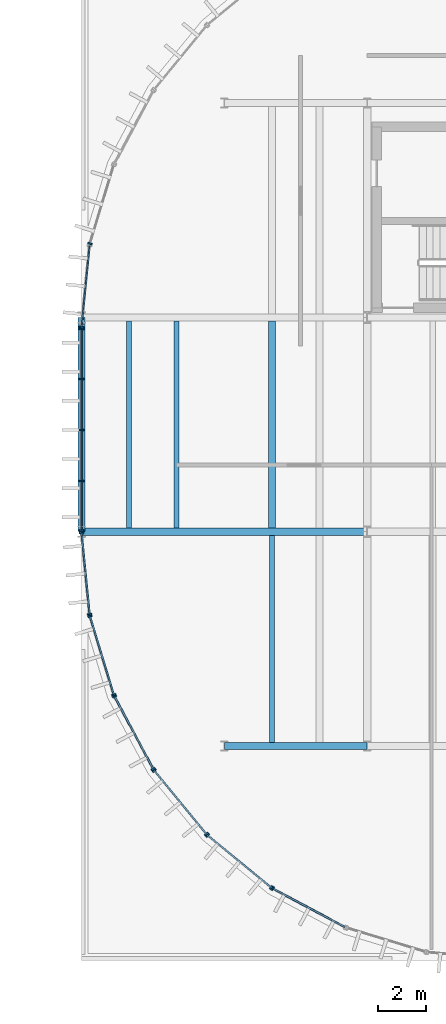
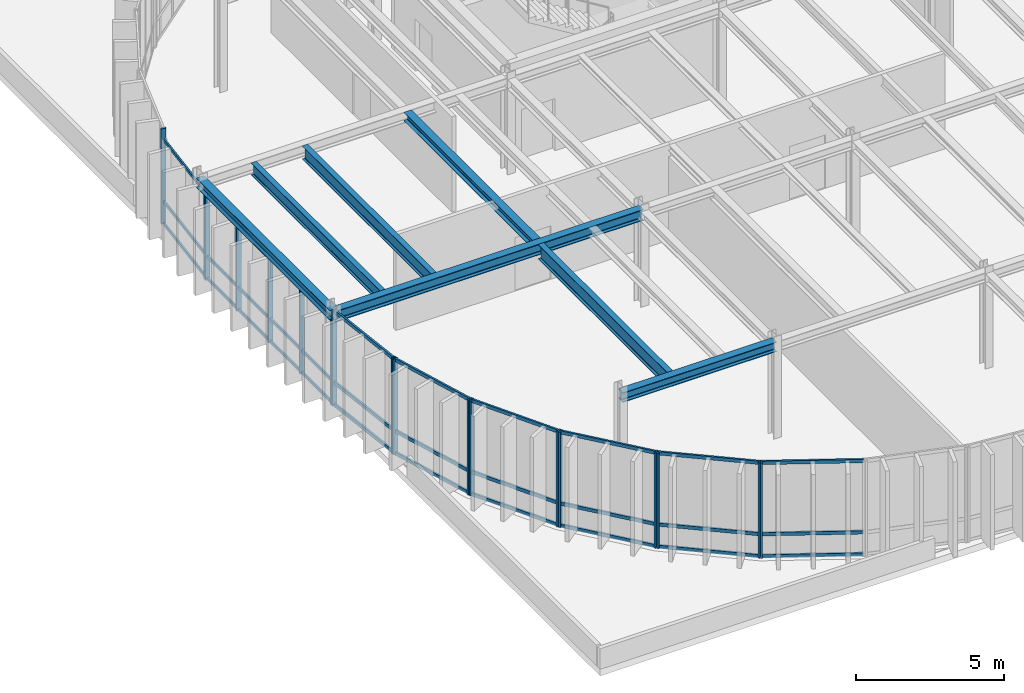
# One storey, part 9 of 69: 42 members, 7 beams, 9 elements without a shape of their own.
"""IFC4 building model written with IfcOpenShell, lengths in metres."""

import ifcopenshell
import ifcopenshell.guid

model = None  # the IFC model being written
_history = None  # IfcOwnerHistory: only IFC2X3 demands one
_inside = {}  # id of a spatial element -> (the spatial element, [elements in it])
_under = {}  # id of a project, library or spatial element -> (it, [spatial elements below it])
_declared = {}  # id of a project -> (the project, [libraries it declares])
_typed = {}  # id of a type object -> (the type object, [elements of that type])
_made_of = {}  # id of a material, layer set ... -> (it, [elements and type objects made of it])


def new_model(schema):
    """Start an empty IFC model of exactly this schema.

    Asked for "IFC4X3", IfcOpenShell would pick the latest addendum, in which some entities
    have other attributes; the version numbers below select the first issue.
    IFC2X3 requires an IfcOwnerHistory on every rooted entity: one is made here for all.
    """
    global model, _history
    if schema == "IFC4X3":
        model = ifcopenshell.file(schema_version=(4, 3, 0, 0))
    else:
        model = ifcopenshell.file(schema=schema)
    _inside.clear()
    _under.clear()
    _declared.clear()
    _typed.clear()
    _made_of.clear()
    _history = None
    if model.schema == "IFC2X3":
        org = make("IfcOrganization", Name="unknown")
        user = make(
            "IfcPersonAndOrganization",
            ThePerson=make("IfcPerson", FamilyName="unknown"),
            TheOrganization=org,
        )
        app = make(
            "IfcApplication",
            ApplicationDeveloper=org,
            Version="unknown",
            ApplicationFullName="unknown",
            ApplicationIdentifier="unknown",
        )
        _history = make(
            "IfcOwnerHistory",
            OwningUser=user,
            OwningApplication=app,
            ChangeAction="ADDED",
            CreationDate=0,
        )
    return model


def make(cls, **values):
    """One entity of the class cls with the attributes given. An attribute that is None is left unset."""
    return model.create_entity(
        cls, **{name: value for name, value in values.items() if value is not None}
    )


def rooted(cls, **values):
    """An entity with a GlobalId (a new one), such as an element, a storey or a relation."""
    return make(cls, GlobalId=ifcopenshell.guid.new(), OwnerHistory=_history, **values)


def si_unit(unit_type, name, prefix=None):
    """IfcSIUnit, for example si_unit("LENGTHUNIT", "METRE", prefix="MILLI")."""
    return make("IfcSIUnit", UnitType=unit_type, Prefix=prefix, Name=name)


def assignment(units):
    """IfcUnitAssignment: the units of a project."""
    return None if units is None else make("IfcUnitAssignment", Units=units)


def point(xyz):
    """IfcCartesianPoint."""
    return None if xyz is None else make("IfcCartesianPoint", Coordinates=xyz)


def direction(xyz):
    """IfcDirection."""
    return None if xyz is None else make("IfcDirection", DirectionRatios=xyz)


def frame(location, z_axis=None, x_axis=None):
    """IfcAxis2Placement3D, a coordinate frame: its origin and axes. An axis left out is left unset."""
    return make(
        "IfcAxis2Placement3D",
        Location=point(location),
        Axis=direction(z_axis),
        RefDirection=direction(x_axis),
    )


def frame_2d(location, x_axis=None):
    """IfcAxis2Placement2D, a coordinate frame in the plane: its origin and x axis."""
    return make(
        "IfcAxis2Placement2D", Location=point(location), RefDirection=direction(x_axis)
    )


def origin():
    """The frame at (0, 0, 0) with its axes left unset."""
    return frame((0.0, 0.0, 0.0))


def origin_2d():
    """The frame at (0, 0) in the plane with its x axis left unset."""
    return frame_2d((0.0, 0.0))


def place(relative_to, where):
    """IfcLocalPlacement: puts the frame where relative to a parent placement (None: the world)."""
    return make(
        "IfcLocalPlacement", PlacementRelTo=relative_to, RelativePlacement=where
    )


def context(
    kind, dimensions, precision=None, world=None, true_north=None, identifier=None
):
    """IfcGeometricRepresentationContext, for example the 3D "Model" context."""
    return make(
        "IfcGeometricRepresentationContext",
        ContextIdentifier=identifier,
        ContextType=kind,
        CoordinateSpaceDimension=dimensions,
        Precision=precision,
        WorldCoordinateSystem=world,
        TrueNorth=true_north,
    )


def subcontext(parent, identifier, kind, view, scale=None):
    """IfcGeometricRepresentationSubContext, for example "Body" below "Model"."""
    return make(
        "IfcGeometricRepresentationSubContext",
        ContextIdentifier=identifier,
        ContextType=kind,
        ParentContext=parent,
        TargetScale=scale,
        TargetView=view,
    )


def project(units=None, contexts=None):
    """IfcProject with its units and contexts."""
    return rooted(
        "IfcProject",
        Name="project",
        RepresentationContexts=contexts,
        UnitsInContext=assignment(units),
    )


def spatial(cls, under=None, at=None, **own):
    """A site, building, storey or space (cls), placed at a placement, below another one or the project."""
    s = rooted(cls, ObjectPlacement=at, **own)
    if under is not None:
        _under.setdefault(under.id(), (under, []))[1].append(s)
    return s


def profile(cls, at=None, kind="AREA", **sizes):
    """A parametric profile (cls). Its sizes go by their IFC names, for example OverallWidth=200.0."""
    return make(cls, ProfileType=kind, Position=at, **sizes)


def rectangle(**sizes):
    """IfcRectangleProfileDef."""
    return profile("IfcRectangleProfileDef", **sizes)


def i_section(**sizes):
    """IfcIShapeProfileDef."""
    return profile("IfcIShapeProfileDef", **sizes)


def extrude(swept, where, along, depth):
    """IfcExtrudedAreaSolid: the profile swept, set in the frame where, extruded along a direction by depth."""
    return make(
        "IfcExtrudedAreaSolid",
        SweptArea=swept,
        Position=where,
        ExtrudedDirection=direction(along),
        Depth=depth,
    )


def shape(context_of_items, identifier, shape_type, items):
    """IfcShapeRepresentation: the items that make up one representation, for example the "Body"."""
    return make(
        "IfcShapeRepresentation",
        ContextOfItems=context_of_items,
        RepresentationIdentifier=identifier,
        RepresentationType=shape_type,
        Items=items,
    )


def material(Name=None, Category=None):
    """IfcMaterial."""
    return make("IfcMaterial", Name=Name, Category=Category)


def layer(
    of_material, thickness, ventilated=None, Name=None, Category=None, Priority=None
):
    """IfcMaterialLayer: one layer of a wall or slab, of a material (None: an air gap)."""
    return make(
        "IfcMaterialLayer",
        Material=of_material,
        LayerThickness=thickness,
        IsVentilated=ventilated,
        Name=Name,
        Category=Category,
        Priority=Priority,
    )


def layer_set(layers, Name=None):
    """IfcMaterialLayerSet."""
    return make("IfcMaterialLayerSet", MaterialLayers=layers, LayerSetName=Name)


def material_profile(
    of_material, cross_section, Name=None, Category=None, Priority=None
):
    """IfcMaterialProfile: a cross section and its material."""
    return make(
        "IfcMaterialProfile",
        Name=Name,
        Material=of_material,
        Profile=cross_section,
        Priority=Priority,
        Category=Category,
    )


def profile_set(profiles, Name=None, composite=None):
    """IfcMaterialProfileSet."""
    return make(
        "IfcMaterialProfileSet",
        Name=Name,
        MaterialProfiles=profiles,
        CompositeProfile=composite,
    )


def made_of(thing, what):
    """Note that an element or type object is made of a material, layer set ...; save() writes the relation."""
    if what is not None:
        _made_of.setdefault(what.id(), (what, []))[1].append(thing)
    return thing


def type_object(cls, material=None, **own):
    """A type object (cls), such as IfcWallType, which elements share."""
    return made_of(rooted(cls, **own), material)


def element(
    cls,
    number,
    at=None,
    inside=None,
    cuts=None,
    type_object=None,
    material=None,
    context=None,
    identifier="Body",
    shape_type=None,
    held_by="IfcProductDefinitionShape",
    body=None,
    shapes=None,
    **own,
):
    """One element of the class cls, such as IfcWall. Its Tag is "e" and its number.

    at: its placement. inside: the storey or other place that contains it. cuts: it is an
    opening in that element (IfcRelVoidsElement). A single representation is given by context,
    identifier, shape_type and body (its items); several are given by shapes. held_by: the class
    of the entity that holds the representations. save() writes the other relations.
    """
    e = rooted(cls, Tag="e%d" % number, ObjectPlacement=at, **own)
    if body is not None:
        shapes = [shape(context, identifier, shape_type, body)]
    if shapes is not None:
        e.Representation = make(held_by, Representations=shapes)
    if inside is not None:
        _inside.setdefault(inside.id(), (inside, []))[1].append(e)
    if cuts is not None:
        rooted(
            "IfcRelVoidsElement", RelatingBuildingElement=cuts, RelatedOpeningElement=e
        )
    if type_object is not None:
        _typed.setdefault(type_object.id(), (type_object, []))[1].append(e)
    return made_of(e, material)


def aggregate(whole, parts):
    """IfcRelAggregates: a whole, such as a stair, and the parts it consists of."""
    return rooted("IfcRelAggregates", RelatingObject=whole, RelatedObjects=parts)


def save(model, path):
    """Write the relations noted so far, then the file.

    IfcRelAggregates (storeys below a building ...), IfcRelContainedInSpatialStructure (elements
    in a storey), IfcRelDefinesByType, IfcRelAssociatesMaterial and IfcRelDeclares: one each for
    every whole, place, type object, material and project.
    """
    for whole, parts in _under.values():
        aggregate(whole, parts)
    for where, things in _inside.values():
        rooted(
            "IfcRelContainedInSpatialStructure",
            RelatedElements=things,
            RelatingStructure=where,
        )
    for kind, things in _typed.values():
        rooted("IfcRelDefinesByType", RelatedObjects=things, RelatingType=kind)
    for what, things in _made_of.values():
        rooted("IfcRelAssociatesMaterial", RelatedObjects=things, RelatingMaterial=what)
    for by, libraries in _declared.values():
        rooted("IfcRelDeclares", RelatingContext=by, RelatedDefinitions=libraries)
    model.write(path)


model = new_model("IFC4")

# Units and contexts
model_context = context("Model", 3, precision=1e-05, world=origin(), true_north=direction((0.0, 1.0)))
body_context = subcontext(model_context, "Body", "Model", "MODEL_VIEW")
ifc_project = project(units=[si_unit("LENGTHUNIT", "METRE"), si_unit("AREAUNIT", "SQUARE_METRE"), si_unit("VOLUMEUNIT", "CUBIC_METRE"), si_unit("PLANEANGLEUNIT", "RADIAN"), si_unit("MASSUNIT", "GRAM", prefix="KILO")], contexts=[model_context])

# Site, building, storey
site_placement = place(None, origin())
site = spatial("IfcSite", under=ifc_project, at=site_placement, CompositionType="ELEMENT")
building_placement = place(site_placement, origin())
building = spatial("IfcBuilding", under=site, at=building_placement, Name="Montealbar Specialist Clinic", CompositionType="ELEMENT")
storey_placement = place(building_placement, frame((0.0, 0.0, 9.60009765625)))
storey = spatial("IfcBuildingStorey", under=building, at=storey_placement, Name="L02", CompositionType="ELEMENT", Elevation=9.60009765625)

# Beams
ifc_material_1 = material(Name="Steel S355", Category="steel")
ifc_material_profile_1 = material_profile(ifc_material_1, i_section(OverallWidth=0.300048828125, OverallDepth=0.39990234375, WebThickness=0.013427734375, FlangeThickness=0.02392578125, FilletRadius=0.027099609375, at=origin_2d()), Name="HEB 400", Category="steel")
ifc_profile_set_1 = profile_set([ifc_material_profile_1], Name="Steel S355")
beam_type_1 = type_object("IfcBeamType", Name="BM-GIRD-HEB400", PredefinedType="BEAM", material=ifc_profile_set_1)
beam_1_placement = place(storey_placement, frame((60.0, 9.0, 3.72998046875), z_axis=(1.0, 0.0, 0.0), x_axis=(0.0, 1.0, 0.0)))
element("IfcBeam", 1, at=beam_1_placement, inside=storey, type_object=beam_type_1, Name="Beam GX-L02-600-660-90", PredefinedType="BEAM", context=body_context, shape_type="SweptSolid", body=[
    extrude(i_section(OverallWidth=0.300048828125, OverallDepth=0.39990234375, WebThickness=0.013427734375, FlangeThickness=0.02392578125, FilletRadius=0.027099609375, at=origin_2d()), origin(), (0.0, 0.0, 1.0), 6.0),
])
ifc_material_profile_2 = material_profile(ifc_material_1, i_section(OverallWidth=0.300048828125, OverallDepth=0.39990234375, WebThickness=0.013427734375, FlangeThickness=0.02392578125, FilletRadius=0.027099609375, at=origin_2d()), Name="HEB 400", Category="steel")
ifc_profile_set_2 = profile_set([ifc_material_profile_2], Name="Steel S355")
beam_type_2 = type_object("IfcBeamType", Name="BM-GIRD-HEB400-EXT", PredefinedType="BEAM", material=ifc_profile_set_2)
beam_2_placement = place(storey_placement, frame((54.0, 18.0, 3.72998046875), z_axis=(0.0, 1.0, 0.0), x_axis=(-1.0, 0.0, 0.0)))
element("IfcBeam", 2, at=beam_2_placement, inside=storey, type_object=beam_type_2, Name="Beam GY-L02-540-180-270", PredefinedType="BEAM", context=body_context, shape_type="SweptSolid", body=[
    extrude(i_section(OverallWidth=0.300048828125, OverallDepth=0.39990234375, WebThickness=0.013427734375, FlangeThickness=0.02392578125, FilletRadius=0.027099609375, at=origin_2d()), origin(), (0.0, 0.0, 1.0), 9.0),
])
ifc_material_profile_3 = material_profile(ifc_material_1, i_section(OverallWidth=0.300048828125, OverallDepth=0.449951171875, WebThickness=0.013916015625, FlangeThickness=0.02587890625, FilletRadius=0.027099609375, at=origin_2d()), Name="HEB 450", Category="steel")
ifc_profile_set_3 = profile_set([ifc_material_profile_3], Name="Steel S355")
beam_type_3 = type_object("IfcBeamType", Name="BM-GIRD-HEB450", PredefinedType="BEAM", material=ifc_profile_set_3)
beam_3_placement = place(storey_placement, frame((54.0, 18.0, 3.704833984375), z_axis=(1.0, 0.0, 0.0), x_axis=(0.0, 1.0, 0.0)))
element("IfcBeam", 3, at=beam_3_placement, inside=storey, type_object=beam_type_3, Name="Beam GX-L02-540-660-180", PredefinedType="BEAM", context=body_context, shape_type="SweptSolid", body=[
    extrude(i_section(OverallWidth=0.300048828125, OverallDepth=0.449951171875, WebThickness=0.013916015625, FlangeThickness=0.02587890625, FilletRadius=0.027099609375, at=origin_2d()), origin(), (0.0, 0.0, 1.0), 12.0),
])
ifc_material_profile_4 = material_profile(ifc_material_1, i_section(OverallWidth=0.300048828125, OverallDepth=0.35009765625, WebThickness=0.010009765625, FlangeThickness=0.017578125, FilletRadius=0.027099609375, at=origin_2d()), Name="HEA 360", Category="steel")
ifc_profile_set_4 = profile_set([ifc_material_profile_4], Name="Steel S355")
beam_type_4 = type_object("IfcBeamType", Name="BM-JST-HEA360", PredefinedType="JOIST", material=ifc_profile_set_4)
beam_4_placement = place(storey_placement, frame((62.0, 18.14990234375, 3.7548828125), z_axis=(0.0, 1.0, 0.0), x_axis=(-1.0, 0.0, 0.0)))
element("IfcBeam", 4, at=beam_4_placement, inside=storey, type_object=beam_type_4, Name="Beam JST-L02-620-182-268", PredefinedType="JOIST", context=body_context, shape_type="SweptSolid", body=[
    extrude(i_section(OverallWidth=0.300048828125, OverallDepth=0.35009765625, WebThickness=0.010009765625, FlangeThickness=0.017578125, FilletRadius=0.027099609375, at=origin_2d()), origin(), (0.0, 0.0, 1.0), 8.7001953125),
])
ifc_material_profile_5 = material_profile(ifc_material_1, i_section(OverallWidth=0.199951171875, OverallDepth=0.5, WebThickness=0.01025390625, FlangeThickness=0.01611328125, FilletRadius=0.02099609375, at=origin_2d()), Name="IPE 500", Category="steel")
ifc_profile_set_5 = profile_set([ifc_material_profile_5], Name="Steel S355")
beam_type_5 = type_object("IfcBeamType", Name="BM-JST-IPE500", PredefinedType="JOIST", material=ifc_profile_set_5)
beam_5_placement = place(storey_placement, frame((56.0, 18.14990234375, 3.679931640625), z_axis=(0.0, 1.0, 0.0), x_axis=(-1.0, 0.0, 0.0)))
element("IfcBeam", 5, at=beam_5_placement, inside=storey, type_object=beam_type_5, Name="Beam JST-L02-560-182-268", PredefinedType="JOIST", context=body_context, shape_type="SweptSolid", body=[
    extrude(i_section(OverallWidth=0.199951171875, OverallDepth=0.5, WebThickness=0.01025390625, FlangeThickness=0.01611328125, FilletRadius=0.02099609375, at=origin_2d()), origin(), (0.0, 0.0, 1.0), 8.7001953125),
])
ifc_material_profile_6 = material_profile(ifc_material_1, i_section(OverallWidth=0.2099609375, OverallDepth=0.550048828125, WebThickness=0.010986328125, FlangeThickness=0.01708984375, FilletRadius=0.02392578125, at=origin_2d()), Name="IPE 550", Category="steel")
ifc_profile_set_6 = profile_set([ifc_material_profile_6], Name="Steel S355")
beam_type_6 = type_object("IfcBeamType", Name="BM-JST-IPE550", PredefinedType="JOIST", material=ifc_profile_set_6)
beam_6_placement = place(storey_placement, frame((58.0, 18.14990234375, 3.65478515625), z_axis=(0.0, 1.0, 0.0), x_axis=(-1.0, 0.0, 0.0)))
element("IfcBeam", 6, at=beam_6_placement, inside=storey, type_object=beam_type_6, Name="Beam JST-L02-580-182-268", PredefinedType="JOIST", context=body_context, shape_type="SweptSolid", body=[
    extrude(i_section(OverallWidth=0.2099609375, OverallDepth=0.550048828125, WebThickness=0.010986328125, FlangeThickness=0.01708984375, FilletRadius=0.02392578125, at=origin_2d()), origin(), (0.0, 0.0, 1.0), 8.7001953125),
])
ifc_material_profile_7 = material_profile(ifc_material_1, i_section(OverallWidth=0.219970703125, OverallDepth=0.60009765625, WebThickness=0.011962890625, FlangeThickness=0.01904296875, FilletRadius=0.02392578125, at=origin_2d()), Name="IPE 600", Category="steel")
ifc_profile_set_7 = profile_set([ifc_material_profile_7], Name="Steel S355")
beam_type_7 = type_object("IfcBeamType", Name="BM-JST-IPE600", PredefinedType="JOIST", material=ifc_profile_set_7)
beam_7_placement = place(storey_placement, frame((62.0, 9.14990234375, 3.6298828125), z_axis=(0.0, 1.0, 0.0), x_axis=(-1.0, 0.0, 0.0)))
element("IfcBeam", 7, at=beam_7_placement, inside=storey, type_object=beam_type_7, Name="Beam JST-L02-620-92-178", PredefinedType="JOIST", context=body_context, shape_type="SweptSolid", body=[
    extrude(i_section(OverallWidth=0.219970703125, OverallDepth=0.60009765625, WebThickness=0.011962890625, FlangeThickness=0.01904296875, FilletRadius=0.02392578125, at=origin_2d()), origin(), (0.0, 0.0, 1.0), 8.7001953125),
])

# Curtain wall, member
ifc_material_2 = material(Name="Low-E double glazing", Category="glass")
ifc_layer_1 = layer(ifc_material_2, 0.199951171875, Name="Low-E double glazing", Category="glass")
ifc_layer_set_1 = layer_set([ifc_layer_1], Name="Low-E double glazing")
curtain_wall_type_1 = type_object("IfcCurtainWallType", Name="CW-TYPE-12", PredefinedType="NOTDEFINED", material=ifc_layer_set_1)
curtain_wall_1_placement = place(storey_placement, origin())
curtain_wall_1 = element("IfcCurtainWall", 8, at=curtain_wall_1_placement, inside=storey, type_object=curtain_wall_type_1, Name="Unitised Curtain Wall CW-L02-543-301-554-334-96", PredefinedType="NOTDEFINED")
ifc_material_3 = material(Name="Anodised aluminium EN AW-6063", Category="aluminium")
ifc_material_profile_8 = material_profile(ifc_material_3, rectangle(XDim=0.070068359375, YDim=0.179931640625, at=origin_2d()), Name="ALU 70x180", Category="aluminium")
ifc_profile_set_8 = profile_set([ifc_material_profile_8], Name="Anodised aluminium EN AW-6063")
member_type_1 = type_object("IfcMemberType", Name="CW-MUL-200", PredefinedType="MULLION", material=ifc_profile_set_8)
member_1_placement = place(storey_placement, frame((54.35791015625, 30.10009765625, 0.0), z_axis=(0.0, 0.0, 1.0), x_axis=(0.290259134399, 0.956948083701, 0.0)))
member_1 = element("IfcMember", 9, at=member_1_placement, type_object=member_type_1, Name="Curtain Wall Mullion CW-L02-543-301-554-334-96-00", PredefinedType="MULLION", context=body_context, shape_type="SweptSolid", body=[
    extrude(rectangle(XDim=0.070068359375, YDim=0.179931640625, at=origin_2d()), origin(), (0.0, 0.0, 1.0), 3.929931640625),
])
aggregate(curtain_wall_1, [member_1])

curtain_wall_2_placement = place(storey_placement, origin())
curtain_wall_2 = element("IfcCurtainWall", 10, at=curtain_wall_2_placement, inside=storey, type_object=curtain_wall_type_1, Name="Unitised Curtain Wall CW-L02-651-14-620-30-96", PredefinedType="NOTDEFINED")
member_2_placement = place(storey_placement, frame((62.034912109375, 3.014892578125, 0.0), z_axis=(0.0, 0.0, 1.0), x_axis=(-0.881850411644, 0.471529268958, 0.0)))
member_2 = element("IfcMember", 11, at=member_2_placement, type_object=member_type_1, Name="Curtain Wall Mullion CW-L02-651-14-620-30-96-01", PredefinedType="MULLION", context=body_context, shape_type="SweptSolid", body=[
    extrude(rectangle(XDim=0.070068359375, YDim=0.179931640625, at=origin_2d()), origin(), (0.0, 0.0, 1.0), 3.929931640625),
])

# Curtain wall, members
curtain_wall_3_placement = place(storey_placement, origin())
curtain_wall_3 = element("IfcCurtainWall", 12, at=curtain_wall_3_placement, inside=storey, type_object=curtain_wall_type_1, Name="Unitised Curtain Wall CW-L02-620-30-593-53-96", PredefinedType="NOTDEFINED")
member_3_placement = place(storey_placement, frame((61.968994140625, 3.05908203125, 0.0), z_axis=(0.0, 0.0, 1.0), x_axis=(-0.773123255923, 0.634255808922, 0.0)))
member_3 = element("IfcMember", 13, at=member_3_placement, type_object=member_type_1, Name="Curtain Wall Mullion CW-L02-620-30-593-53-96-00", PredefinedType="MULLION", context=body_context, shape_type="SweptSolid", body=[
    extrude(rectangle(XDim=0.070068359375, YDim=0.179931640625, at=origin_2d()), origin(), (0.0, 0.0, 1.0), 3.929931640625),
])
member_4_placement = place(storey_placement, frame((59.302978515625, 5.2470703125, 0.0), z_axis=(0.0, 0.0, 1.0), x_axis=(-0.773123255923, 0.634255808922, 0.0)))
member_4 = element("IfcMember", 14, at=member_4_placement, type_object=member_type_1, Name="Curtain Wall Mullion CW-L02-620-30-593-53-96-01", PredefinedType="MULLION", context=body_context, shape_type="SweptSolid", body=[
    extrude(rectangle(XDim=0.070068359375, YDim=0.179931640625, at=origin_2d()), origin(), (0.0, 0.0, 1.0), 3.929931640625),
])

curtain_wall_4_placement = place(storey_placement, origin())
curtain_wall_4 = element("IfcCurtainWall", 15, at=curtain_wall_4_placement, inside=storey, type_object=curtain_wall_type_1, Name="Unitised Curtain Wall CW-L02-593-53-570-80-96", PredefinedType="NOTDEFINED")
member_5_placement = place(storey_placement, frame((59.2470703125, 5.302978515625, 0.0), z_axis=(0.0, 0.0, 1.0), x_axis=(-0.634255808922, 0.773123255923, 0.0)))
member_5 = element("IfcMember", 16, at=member_5_placement, type_object=member_type_1, Name="Curtain Wall Mullion CW-L02-593-53-570-80-96-00", PredefinedType="MULLION", context=body_context, shape_type="SweptSolid", body=[
    extrude(rectangle(XDim=0.070068359375, YDim=0.179931640625, at=origin_2d()), origin(), (0.0, 0.0, 1.0), 3.929931640625),
])
member_6_placement = place(storey_placement, frame((57.05908203125, 7.968994140625, 0.0), z_axis=(0.0, 0.0, 1.0), x_axis=(-0.634255808922, 0.773123255923, 0.0)))
member_6 = element("IfcMember", 17, at=member_6_placement, type_object=member_type_1, Name="Curtain Wall Mullion CW-L02-593-53-570-80-96-01", PredefinedType="MULLION", context=body_context, shape_type="SweptSolid", body=[
    extrude(rectangle(XDim=0.070068359375, YDim=0.179931640625, at=origin_2d()), origin(), (0.0, 0.0, 1.0), 3.929931640625),
])

curtain_wall_5_placement = place(storey_placement, origin())
curtain_wall_5 = element("IfcCurtainWall", 18, at=curtain_wall_5_placement, inside=storey, type_object=curtain_wall_type_1, Name="Unitised Curtain Wall CW-L02-570-80-554-111-96", PredefinedType="NOTDEFINED")
member_7_placement = place(storey_placement, frame((57.014892578125, 8.034912109375, 0.0), z_axis=(0.0, 0.0, 1.0), x_axis=(-0.471529268958, 0.881850411644, 0.0)))
member_7 = element("IfcMember", 19, at=member_7_placement, type_object=member_type_1, Name="Curtain Wall Mullion CW-L02-570-80-554-111-96-00", PredefinedType="MULLION", context=body_context, shape_type="SweptSolid", body=[
    extrude(rectangle(XDim=0.070068359375, YDim=0.179931640625, at=origin_2d()), origin(), (0.0, 0.0, 1.0), 3.929931640625),
])
member_8_placement = place(storey_placement, frame((55.388916015625, 11.076904296875, 0.0), z_axis=(0.0, 0.0, 1.0), x_axis=(-0.471529268958, 0.881850411644, 0.0)))
member_8 = element("IfcMember", 20, at=member_8_placement, type_object=member_type_1, Name="Curtain Wall Mullion CW-L02-570-80-554-111-96-01", PredefinedType="MULLION", context=body_context, shape_type="SweptSolid", body=[
    extrude(rectangle(XDim=0.070068359375, YDim=0.179931640625, at=origin_2d()), origin(), (0.0, 0.0, 1.0), 3.929931640625),
])

curtain_wall_6_placement = place(storey_placement, origin())
curtain_wall_6 = element("IfcCurtainWall", 21, at=curtain_wall_6_placement, inside=storey, type_object=curtain_wall_type_1, Name="Unitised Curtain Wall CW-L02-554-111-543-145-96", PredefinedType="NOTDEFINED")
member_9_placement = place(storey_placement, frame((55.35791015625, 11.14990234375, 0.0), z_axis=(0.0, 0.0, 1.0), x_axis=(-0.290259134399, 0.956948083701, 0.0)))
member_9 = element("IfcMember", 22, at=member_9_placement, type_object=member_type_1, Name="Curtain Wall Mullion CW-L02-554-111-543-145-96-00", PredefinedType="MULLION", context=body_context, shape_type="SweptSolid", body=[
    extrude(rectangle(XDim=0.070068359375, YDim=0.179931640625, at=origin_2d()), origin(), (0.0, 0.0, 1.0), 3.929931640625),
])
member_10_placement = place(storey_placement, frame((54.35791015625, 14.449951171875, 0.0), z_axis=(0.0, 0.0, 1.0), x_axis=(-0.290259134399, 0.956948083701, 0.0)))
member_10 = element("IfcMember", 23, at=member_10_placement, type_object=member_type_1, Name="Curtain Wall Mullion CW-L02-554-111-543-145-96-01", PredefinedType="MULLION", context=body_context, shape_type="SweptSolid", body=[
    extrude(rectangle(XDim=0.070068359375, YDim=0.179931640625, at=origin_2d()), origin(), (0.0, 0.0, 1.0), 3.929931640625),
])

curtain_wall_7_placement = place(storey_placement, origin())
curtain_wall_7 = element("IfcCurtainWall", 24, at=curtain_wall_7_placement, inside=storey, type_object=curtain_wall_type_1, Name="Unitised Curtain Wall CW-L02-543-145-540-180-96", PredefinedType="NOTDEFINED")
member_11_placement = place(storey_placement, frame((54.342041015625, 14.528076171875, 0.0), z_axis=(0.0, 0.0, 1.0), x_axis=(-0.098044697094, 0.995182012183, 0.0)))
member_11 = element("IfcMember", 25, at=member_11_placement, type_object=member_type_1, Name="Curtain Wall Mullion CW-L02-543-145-540-180-96-00", PredefinedType="MULLION", context=body_context, shape_type="SweptSolid", body=[
    extrude(rectangle(XDim=0.070068359375, YDim=0.179931640625, at=origin_2d()), origin(), (0.0, 0.0, 1.0), 3.929931640625),
])
member_12_placement = place(storey_placement, frame((54.00390625, 17.9599609375, 0.0), z_axis=(0.0, 0.0, 1.0), x_axis=(-0.098044697094, 0.995182012183, 0.0)))
member_12 = element("IfcMember", 26, at=member_12_placement, type_object=member_type_1, Name="Curtain Wall Mullion CW-L02-543-145-540-180-96-01", PredefinedType="MULLION", context=body_context, shape_type="SweptSolid", body=[
    extrude(rectangle(XDim=0.070068359375, YDim=0.179931640625, at=origin_2d()), origin(), (0.0, 0.0, 1.0), 3.929931640625),
])

ifc_layer_2 = layer(ifc_material_2, 0.199951171875, Name="Low-E double glazing", Category="glass")
ifc_layer_set_2 = layer_set([ifc_layer_2], Name="Low-E double glazing")
curtain_wall_type_2 = type_object("IfcCurtainWallType", Name="CW-TYPE-17", PredefinedType="NOTDEFINED", material=ifc_layer_set_2)
curtain_wall_8_placement = place(storey_placement, origin())
curtain_wall_8 = element("IfcCurtainWall", 27, at=curtain_wall_8_placement, inside=storey, type_object=curtain_wall_type_2, Name="Unitised Curtain Wall CW-L02-540-180-540-266-96", PredefinedType="NOTDEFINED")
member_13_placement = place(storey_placement, frame((54.0, 18.0400390625, 0.0), z_axis=(0.0, 0.0, 1.0), x_axis=(0.0, 1.0, 0.0)))
member_13 = element("IfcMember", 28, at=member_13_placement, type_object=member_type_1, Name="Curtain Wall Mullion CW-L02-540-180-540-266-96-00", PredefinedType="MULLION", context=body_context, shape_type="SweptSolid", body=[
    extrude(rectangle(XDim=0.070068359375, YDim=0.179931640625, at=origin_2d()), origin(), (0.0, 0.0, 1.0), 3.52978515625),
])
member_14_placement = place(storey_placement, frame((54.0, 20.136962890625, 0.0), z_axis=(0.0, 0.0, 1.0), x_axis=(0.0, 1.0, 0.0)))
member_14 = element("IfcMember", 29, at=member_14_placement, type_object=member_type_1, Name="Curtain Wall Mullion CW-L02-540-180-540-266-96-01", PredefinedType="MULLION", context=body_context, shape_type="SweptSolid", body=[
    extrude(rectangle(XDim=0.070068359375, YDim=0.179931640625, at=origin_2d()), origin(), (0.0, 0.0, 1.0), 3.52978515625),
])
member_15_placement = place(storey_placement, frame((54.0, 22.27490234375, 0.0), z_axis=(0.0, 0.0, 1.0), x_axis=(0.0, 1.0, 0.0)))
member_15 = element("IfcMember", 30, at=member_15_placement, type_object=member_type_1, Name="Curtain Wall Mullion CW-L02-540-180-540-266-96-02", PredefinedType="MULLION", context=body_context, shape_type="SweptSolid", body=[
    extrude(rectangle(XDim=0.070068359375, YDim=0.179931640625, at=origin_2d()), origin(), (0.0, 0.0, 1.0), 3.52978515625),
])
member_16_placement = place(storey_placement, frame((54.0, 24.4130859375, 0.0), z_axis=(0.0, 0.0, 1.0), x_axis=(0.0, 1.0, 0.0)))
member_16 = element("IfcMember", 31, at=member_16_placement, type_object=member_type_1, Name="Curtain Wall Mullion CW-L02-540-180-540-266-96-03", PredefinedType="MULLION", context=body_context, shape_type="SweptSolid", body=[
    extrude(rectangle(XDim=0.070068359375, YDim=0.179931640625, at=origin_2d()), origin(), (0.0, 0.0, 1.0), 3.52978515625),
])
member_17_placement = place(storey_placement, frame((54.0, 26.510009765625, 0.0), z_axis=(0.0, 0.0, 1.0), x_axis=(0.0, 1.0, 0.0)))
member_17 = element("IfcMember", 32, at=member_17_placement, type_object=member_type_1, Name="Curtain Wall Mullion CW-L02-540-180-540-266-96-04", PredefinedType="MULLION", context=body_context, shape_type="SweptSolid", body=[
    extrude(rectangle(XDim=0.070068359375, YDim=0.179931640625, at=origin_2d()), origin(), (0.0, 0.0, 1.0), 3.52978515625),
])

# Curtain wall, member
ifc_layer_3 = layer(ifc_material_2, 0.199951171875, Name="Low-E double glazing", Category="glass")
ifc_layer_set_3 = layer_set([ifc_layer_3], Name="Low-E double glazing")
curtain_wall_type_3 = type_object("IfcCurtainWallType", Name="CW-TYPE-15", PredefinedType="NOTDEFINED", material=ifc_layer_set_3)
curtain_wall_9_placement = place(storey_placement, origin())
curtain_wall_9 = element("IfcCurtainWall", 33, at=curtain_wall_9_placement, inside=storey, type_object=curtain_wall_type_3, Name="Unitised Curtain Wall CW-L02-540-266-543-301-96", PredefinedType="NOTDEFINED")
member_18_placement = place(storey_placement, frame((54.00390625, 26.590087890625, 0.0), z_axis=(0.0, 0.0, 1.0), x_axis=(0.098044697094, 0.995182012183, 0.0)))
member_18 = element("IfcMember", 34, at=member_18_placement, type_object=member_type_1, Name="Curtain Wall Mullion CW-L02-540-266-543-301-96-00", PredefinedType="MULLION", context=body_context, shape_type="SweptSolid", body=[
    extrude(rectangle(XDim=0.070068359375, YDim=0.179931640625, at=origin_2d()), origin(), (0.0, 0.0, 1.0), 3.52978515625),
])

# Member
ifc_material_4 = material(Name="Powder-coated aluminium", Category="aluminium")
ifc_material_profile_9 = material_profile(ifc_material_4, rectangle(XDim=0.06005859375, YDim=0.1201171875, at=origin_2d()), Name="ALU 60x120", Category="aluminium")
ifc_profile_set_9 = profile_set([ifc_material_profile_9], Name="Powder-coated aluminium")
member_type_2 = type_object("IfcMemberType", Name="CW-TRN-120", PredefinedType="USERDEFINED", material=ifc_profile_set_9)
member_19_placement = place(storey_placement, frame((54.0, 18.050048828125, 0.039794921875), z_axis=(0.0, 1.0, 0.0), x_axis=(-1.0, 0.0, 0.0)))
member_19 = element("IfcMember", 35, at=member_19_placement, type_object=member_type_2, Name="Curtain Wall Transom CW-L02-540-180-540-266-96-00", ObjectType="TRANSOM", PredefinedType="USERDEFINED", context=body_context, shape_type="SweptSolid", body=[
    extrude(rectangle(XDim=0.06005859375, YDim=0.1201171875, at=origin_2d()), origin(), (0.0, 0.0, 1.0), 8.449951171875),
])

member_20_placement = place(storey_placement, frame((54.0, 18.050048828125, 0.949951171875), z_axis=(0.0, 1.0, 0.0), x_axis=(-1.0, 0.0, 0.0)))
member_20 = element("IfcMember", 36, at=member_20_placement, type_object=member_type_2, Name="Curtain Wall Transom CW-L02-540-180-540-266-96-01", ObjectType="TRANSOM", PredefinedType="USERDEFINED", context=body_context, shape_type="SweptSolid", body=[
    extrude(rectangle(XDim=0.06005859375, YDim=0.1201171875, at=origin_2d()), origin(), (0.0, 0.0, 1.0), 8.449951171875),
])

member_21_placement = place(storey_placement, frame((54.0, 18.050048828125, 3.489990234375), z_axis=(0.0, 1.0, 0.0), x_axis=(-1.0, 0.0, 0.0)))
member_21 = element("IfcMember", 37, at=member_21_placement, type_object=member_type_2, Name="Curtain Wall Transom CW-L02-540-180-540-266-96-02", ObjectType="TRANSOM", PredefinedType="USERDEFINED", context=body_context, shape_type="SweptSolid", body=[
    extrude(rectangle(XDim=0.06005859375, YDim=0.1201171875, at=origin_2d()), origin(), (0.0, 0.0, 1.0), 8.449951171875),
])

aggregate(curtain_wall_8, [member_13, member_14, member_15, member_16, member_17, member_19, member_20, member_21])

member_22_placement = place(storey_placement, frame((54.0048828125, 26.60009765625, 0.039794921875), z_axis=(0.098058232162, 0.995180678623, 0.0), x_axis=(-0.995180678623, 0.098058232162, 0.0)))
member_22 = element("IfcMember", 38, at=member_22_placement, type_object=member_type_2, Name="Curtain Wall Transom CW-L02-540-266-543-301-96-00", ObjectType="TRANSOM", PredefinedType="USERDEFINED", context=body_context, shape_type="SweptSolid", body=[
    extrude(rectangle(XDim=0.06005859375, YDim=0.1201171875, at=origin_2d()), origin(), (0.0, 0.0, 1.0), 3.428466796875),
])

member_23_placement = place(storey_placement, frame((54.0048828125, 26.60009765625, 0.949951171875), z_axis=(0.098058232162, 0.995180678623, 0.0), x_axis=(-0.995180678623, 0.098058232162, 0.0)))
member_23 = element("IfcMember", 39, at=member_23_placement, type_object=member_type_2, Name="Curtain Wall Transom CW-L02-540-266-543-301-96-01", ObjectType="TRANSOM", PredefinedType="USERDEFINED", context=body_context, shape_type="SweptSolid", body=[
    extrude(rectangle(XDim=0.06005859375, YDim=0.1201171875, at=origin_2d()), origin(), (0.0, 0.0, 1.0), 3.428466796875),
])

member_24_placement = place(storey_placement, frame((54.0048828125, 26.60009765625, 3.489990234375), z_axis=(0.098058232162, 0.995180678623, 0.0), x_axis=(-0.995180678623, 0.098058232162, 0.0)))
member_24 = element("IfcMember", 40, at=member_24_placement, type_object=member_type_2, Name="Curtain Wall Transom CW-L02-540-266-543-301-96-02", ObjectType="TRANSOM", PredefinedType="USERDEFINED", context=body_context, shape_type="SweptSolid", body=[
    extrude(rectangle(XDim=0.06005859375, YDim=0.1201171875, at=origin_2d()), origin(), (0.0, 0.0, 1.0), 3.428466796875),
])

aggregate(curtain_wall_9, [member_18, member_22, member_23, member_24])

ifc_material_profile_10 = material_profile(ifc_material_4, rectangle(XDim=0.070068359375, YDim=0.139892578125, at=origin_2d()), Name="ALU 70x140", Category="aluminium")
ifc_profile_set_10 = profile_set([ifc_material_profile_10], Name="Powder-coated aluminium")
member_type_3 = type_object("IfcMemberType", Name="CW-TRN-140", PredefinedType="USERDEFINED", material=ifc_profile_set_10)
member_25_placement = place(storey_placement, frame((65.068115234375, 1.39404296875, 0.039794921875), z_axis=(-0.881980147273, 0.471286558069, 0.0), x_axis=(-0.471286558069, -0.881980147273, 0.0)))
member_25 = element("IfcMember", 41, at=member_25_placement, type_object=member_type_3, Name="Curtain Wall Transom CW-L02-651-14-620-30-96-00", ObjectType="TRANSOM", PredefinedType="USERDEFINED", context=body_context, shape_type="SweptSolid", body=[
    extrude(rectangle(XDim=0.070068359375, YDim=0.139892578125, at=origin_2d()), origin(), (0.0, 0.0, 1.0), 3.428955078125),
])

member_26_placement = place(storey_placement, frame((65.068115234375, 1.39404296875, 0.949951171875), z_axis=(-0.881980147273, 0.471286558069, 0.0), x_axis=(-0.471286558069, -0.881980147273, 0.0)))
member_26 = element("IfcMember", 42, at=member_26_placement, type_object=member_type_3, Name="Curtain Wall Transom CW-L02-651-14-620-30-96-01", ObjectType="TRANSOM", PredefinedType="USERDEFINED", context=body_context, shape_type="SweptSolid", body=[
    extrude(rectangle(XDim=0.070068359375, YDim=0.139892578125, at=origin_2d()), origin(), (0.0, 0.0, 1.0), 3.428955078125),
])

member_27_placement = place(storey_placement, frame((65.068115234375, 1.39404296875, 3.889892578125), z_axis=(-0.881980147273, 0.471286558069, 0.0), x_axis=(-0.471286558069, -0.881980147273, 0.0)))
member_27 = element("IfcMember", 43, at=member_27_placement, type_object=member_type_3, Name="Curtain Wall Transom CW-L02-651-14-620-30-96-02", ObjectType="TRANSOM", PredefinedType="USERDEFINED", context=body_context, shape_type="SweptSolid", body=[
    extrude(rectangle(XDim=0.070068359375, YDim=0.139892578125, at=origin_2d()), origin(), (0.0, 0.0, 1.0), 3.428955078125),
])

aggregate(curtain_wall_2, [member_2, member_25, member_26, member_27])

member_28_placement = place(storey_placement, frame((61.9609375, 3.06591796875, 0.039794921875), z_axis=(-0.773102924144, 0.634280591441, 0.0), x_axis=(-0.634280591441, -0.773102924144, 0.0)))
member_28 = element("IfcMember", 44, at=member_28_placement, type_object=member_type_3, Name="Curtain Wall Transom CW-L02-620-30-593-53-96-00", ObjectType="TRANSOM", PredefinedType="USERDEFINED", context=body_context, shape_type="SweptSolid", body=[
    extrude(rectangle(XDim=0.070068359375, YDim=0.139892578125, at=origin_2d()), origin(), (0.0, 0.0, 1.0), 3.427734375),
])

member_29_placement = place(storey_placement, frame((61.9609375, 3.06591796875, 0.949951171875), z_axis=(-0.773102924144, 0.634280591441, 0.0), x_axis=(-0.634280591441, -0.773102924144, 0.0)))
member_29 = element("IfcMember", 45, at=member_29_placement, type_object=member_type_3, Name="Curtain Wall Transom CW-L02-620-30-593-53-96-01", ObjectType="TRANSOM", PredefinedType="USERDEFINED", context=body_context, shape_type="SweptSolid", body=[
    extrude(rectangle(XDim=0.070068359375, YDim=0.139892578125, at=origin_2d()), origin(), (0.0, 0.0, 1.0), 3.427734375),
])

member_30_placement = place(storey_placement, frame((61.9609375, 3.06591796875, 3.889892578125), z_axis=(-0.773102924144, 0.634280591441, 0.0), x_axis=(-0.634280591441, -0.773102924144, 0.0)))
member_30 = element("IfcMember", 46, at=member_30_placement, type_object=member_type_3, Name="Curtain Wall Transom CW-L02-620-30-593-53-96-02", ObjectType="TRANSOM", PredefinedType="USERDEFINED", context=body_context, shape_type="SweptSolid", body=[
    extrude(rectangle(XDim=0.070068359375, YDim=0.139892578125, at=origin_2d()), origin(), (0.0, 0.0, 1.0), 3.427734375),
])

aggregate(curtain_wall_3, [member_3, member_4, member_28, member_29, member_30])

member_31_placement = place(storey_placement, frame((59.239990234375, 5.31103515625, 0.039794921875), z_axis=(-0.634280591441, 0.773102924144, 0.0), x_axis=(-0.773102924144, -0.634280591441, 0.0)))
member_31 = element("IfcMember", 47, at=member_31_placement, type_object=member_type_3, Name="Curtain Wall Transom CW-L02-593-53-570-80-96-00", ObjectType="TRANSOM", PredefinedType="USERDEFINED", context=body_context, shape_type="SweptSolid", body=[
    extrude(rectangle(XDim=0.070068359375, YDim=0.139892578125, at=origin_2d()), origin(), (0.0, 0.0, 1.0), 3.427734375),
])

member_32_placement = place(storey_placement, frame((59.239990234375, 5.31103515625, 0.949951171875), z_axis=(-0.634280591441, 0.773102924144, 0.0), x_axis=(-0.773102924144, -0.634280591441, 0.0)))
member_32 = element("IfcMember", 48, at=member_32_placement, type_object=member_type_3, Name="Curtain Wall Transom CW-L02-593-53-570-80-96-01", ObjectType="TRANSOM", PredefinedType="USERDEFINED", context=body_context, shape_type="SweptSolid", body=[
    extrude(rectangle(XDim=0.070068359375, YDim=0.139892578125, at=origin_2d()), origin(), (0.0, 0.0, 1.0), 3.427734375),
])

member_33_placement = place(storey_placement, frame((59.239990234375, 5.31103515625, 3.889892578125), z_axis=(-0.634280591441, 0.773102924144, 0.0), x_axis=(-0.773102924144, -0.634280591441, 0.0)))
member_33 = element("IfcMember", 49, at=member_33_placement, type_object=member_type_3, Name="Curtain Wall Transom CW-L02-593-53-570-80-96-02", ObjectType="TRANSOM", PredefinedType="USERDEFINED", context=body_context, shape_type="SweptSolid", body=[
    extrude(rectangle(XDim=0.070068359375, YDim=0.139892578125, at=origin_2d()), origin(), (0.0, 0.0, 1.0), 3.427734375),
])

aggregate(curtain_wall_4, [member_5, member_6, member_31, member_32, member_33])

member_34_placement = place(storey_placement, frame((57.010009765625, 8.0439453125, 0.039794921875), z_axis=(-0.471286558069, 0.881980147273, 0.0), x_axis=(-0.881980147273, -0.471286558069, 0.0)))
member_34 = element("IfcMember", 50, at=member_34_placement, type_object=member_type_3, Name="Curtain Wall Transom CW-L02-570-80-554-111-96-00", ObjectType="TRANSOM", PredefinedType="USERDEFINED", context=body_context, shape_type="SweptSolid", body=[
    extrude(rectangle(XDim=0.070068359375, YDim=0.139892578125, at=origin_2d()), origin(), (0.0, 0.0, 1.0), 3.428955078125),
])

member_35_placement = place(storey_placement, frame((57.010009765625, 8.0439453125, 0.949951171875), z_axis=(-0.471286558069, 0.881980147273, 0.0), x_axis=(-0.881980147273, -0.471286558069, 0.0)))
member_35 = element("IfcMember", 51, at=member_35_placement, type_object=member_type_3, Name="Curtain Wall Transom CW-L02-570-80-554-111-96-01", ObjectType="TRANSOM", PredefinedType="USERDEFINED", context=body_context, shape_type="SweptSolid", body=[
    extrude(rectangle(XDim=0.070068359375, YDim=0.139892578125, at=origin_2d()), origin(), (0.0, 0.0, 1.0), 3.428955078125),
])

member_36_placement = place(storey_placement, frame((57.010009765625, 8.0439453125, 3.889892578125), z_axis=(-0.471286558069, 0.881980147273, 0.0), x_axis=(-0.881980147273, -0.471286558069, 0.0)))
member_36 = element("IfcMember", 52, at=member_36_placement, type_object=member_type_3, Name="Curtain Wall Transom CW-L02-570-80-554-111-96-02", ObjectType="TRANSOM", PredefinedType="USERDEFINED", context=body_context, shape_type="SweptSolid", body=[
    extrude(rectangle(XDim=0.070068359375, YDim=0.139892578125, at=origin_2d()), origin(), (0.0, 0.0, 1.0), 3.428955078125),
])

aggregate(curtain_wall_5, [member_7, member_8, member_34, member_35, member_36])

member_37_placement = place(storey_placement, frame((55.35498046875, 11.159912109375, 0.039794921875), z_axis=(-0.289993555849, 0.957028598092, 0.0), x_axis=(-0.957028598092, -0.289993555849, 0.0)))
member_37 = element("IfcMember", 53, at=member_37_placement, type_object=member_type_3, Name="Curtain Wall Transom CW-L02-554-111-543-145-96-00", ObjectType="TRANSOM", PredefinedType="USERDEFINED", context=body_context, shape_type="SweptSolid", body=[
    extrude(rectangle(XDim=0.070068359375, YDim=0.139892578125, at=origin_2d()), origin(), (0.0, 0.0, 1.0), 3.42724609375),
])

member_38_placement = place(storey_placement, frame((55.35498046875, 11.159912109375, 0.949951171875), z_axis=(-0.289993555849, 0.957028598092, 0.0), x_axis=(-0.957028598092, -0.289993555849, 0.0)))
member_38 = element("IfcMember", 54, at=member_38_placement, type_object=member_type_3, Name="Curtain Wall Transom CW-L02-554-111-543-145-96-01", ObjectType="TRANSOM", PredefinedType="USERDEFINED", context=body_context, shape_type="SweptSolid", body=[
    extrude(rectangle(XDim=0.070068359375, YDim=0.139892578125, at=origin_2d()), origin(), (0.0, 0.0, 1.0), 3.42724609375),
])

member_39_placement = place(storey_placement, frame((55.35498046875, 11.159912109375, 3.889892578125), z_axis=(-0.289993555849, 0.957028598092, 0.0), x_axis=(-0.957028598092, -0.289993555849, 0.0)))
member_39 = element("IfcMember", 55, at=member_39_placement, type_object=member_type_3, Name="Curtain Wall Transom CW-L02-554-111-543-145-96-02", ObjectType="TRANSOM", PredefinedType="USERDEFINED", context=body_context, shape_type="SweptSolid", body=[
    extrude(rectangle(XDim=0.070068359375, YDim=0.139892578125, at=origin_2d()), origin(), (0.0, 0.0, 1.0), 3.42724609375),
])

aggregate(curtain_wall_6, [member_9, member_10, member_37, member_38, member_39])

member_40_placement = place(storey_placement, frame((54.341064453125, 14.5380859375, 0.039794921875), z_axis=(-0.098058232162, 0.995180678623, 0.0), x_axis=(-0.995180678623, -0.098058232162, 0.0)))
member_40 = element("IfcMember", 56, at=member_40_placement, type_object=member_type_3, Name="Curtain Wall Transom CW-L02-543-145-540-180-96-00", ObjectType="TRANSOM", PredefinedType="USERDEFINED", context=body_context, shape_type="SweptSolid", body=[
    extrude(rectangle(XDim=0.070068359375, YDim=0.139892578125, at=origin_2d()), origin(), (0.0, 0.0, 1.0), 3.428466796875),
])

member_41_placement = place(storey_placement, frame((54.341064453125, 14.5380859375, 0.949951171875), z_axis=(-0.098058232162, 0.995180678623, 0.0), x_axis=(-0.995180678623, -0.098058232162, 0.0)))
member_41 = element("IfcMember", 57, at=member_41_placement, type_object=member_type_3, Name="Curtain Wall Transom CW-L02-543-145-540-180-96-01", ObjectType="TRANSOM", PredefinedType="USERDEFINED", context=body_context, shape_type="SweptSolid", body=[
    extrude(rectangle(XDim=0.070068359375, YDim=0.139892578125, at=origin_2d()), origin(), (0.0, 0.0, 1.0), 3.428466796875),
])

member_42_placement = place(storey_placement, frame((54.341064453125, 14.5380859375, 3.889892578125), z_axis=(-0.098058232162, 0.995180678623, 0.0), x_axis=(-0.995180678623, -0.098058232162, 0.0)))
member_42 = element("IfcMember", 58, at=member_42_placement, type_object=member_type_3, Name="Curtain Wall Transom CW-L02-543-145-540-180-96-02", ObjectType="TRANSOM", PredefinedType="USERDEFINED", context=body_context, shape_type="SweptSolid", body=[
    extrude(rectangle(XDim=0.070068359375, YDim=0.139892578125, at=origin_2d()), origin(), (0.0, 0.0, 1.0), 3.428466796875),
])

aggregate(curtain_wall_7, [member_11, member_12, member_40, member_41, member_42])

save(model, "model.ifc")
